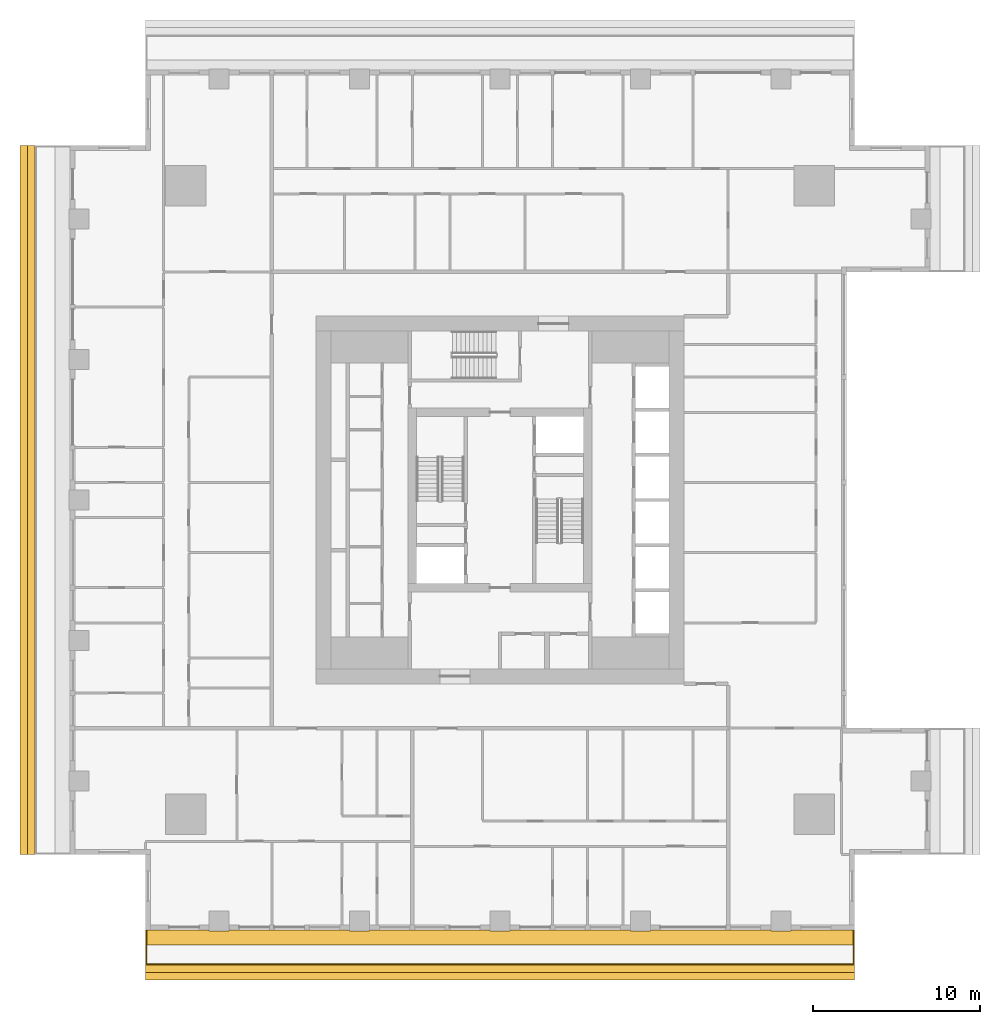
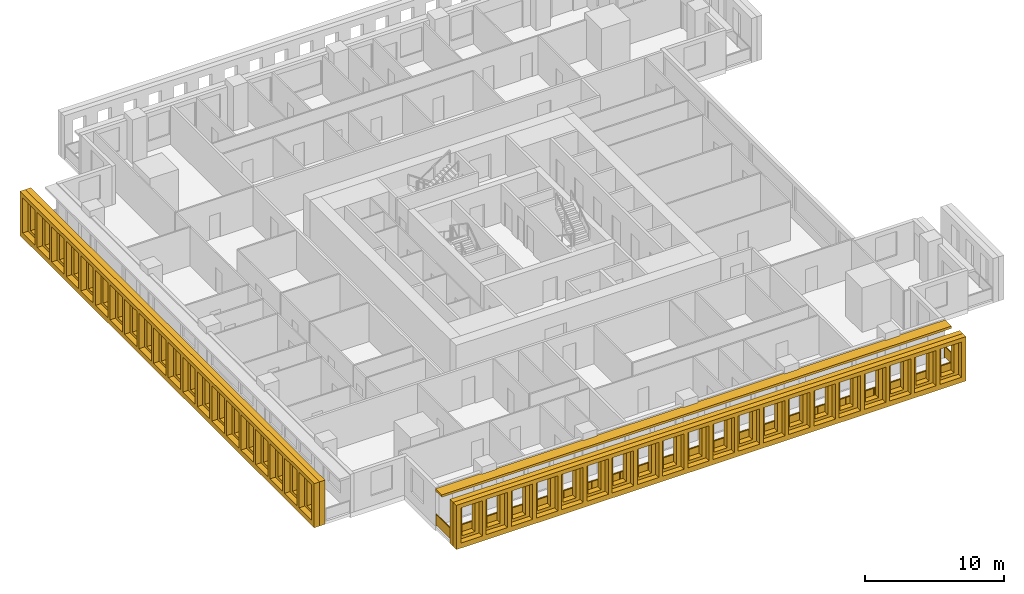
# One storey, part 10 of 15: 5 shading devices, 1 railing.
"""IFC4 building model written with IfcOpenShell, lengths in metres."""

from ifc_helpers import new_model, si_unit, direction, frame, origin, origin_2d, place, context, subcontext, project, spatial, polyline, rectangle, outline, extrude, material, layer, layer_set, type_object, element, save


model = new_model("IFC4")

# Units and contexts
model_context = context("Model", 3, precision=1e-05, world=origin(), true_north=direction((0.0, 1.0)))
body_context = subcontext(model_context, "Body", "Model", "MODEL_VIEW")
ifc_project = project(units=[si_unit("LENGTHUNIT", "METRE"), si_unit("AREAUNIT", "SQUARE_METRE"), si_unit("VOLUMEUNIT", "CUBIC_METRE"), si_unit("PLANEANGLEUNIT", "RADIAN"), si_unit("MASSUNIT", "GRAM", prefix="KILO")], contexts=[model_context])

# Site, building, storey
site_placement = place(None, origin())
site = spatial("IfcSite", under=ifc_project, at=site_placement, CompositionType="ELEMENT")
building_placement = place(site_placement, origin())
building = spatial("IfcBuilding", under=site, at=building_placement, Name="Khepri Terraces", CompositionType="ELEMENT")
storey_placement = place(building_placement, frame((0.0, 0.0, 231.300048828125)))
storey = spatial("IfcBuildingStorey", under=building, at=storey_placement, Name="L55", CompositionType="ELEMENT", Elevation=231.300048828125)

# Railing
ifc_material_1 = material(Name="Stainless steel grade 316", Category="steel")
railing_type = type_object("IfcRailingType", Name="GRD-BAL-1100", PredefinedType="GUARDRAIL", material=ifc_material_1)
railing_placement = place(storey_placement, frame((-21.169921875, -25.719970703125, 0.0)))
element("IfcRailing", 1, at=railing_placement, inside=storey, type_object=railing_type, Name="Balcony guard L55 S", PredefinedType="GUARDRAIL", context=body_context, shape_type="SweptSolid", body=[
    extrude(rectangle(XDim=0.050048828125, YDim=0.06005859375, at=origin_2d()), frame((0.0, 0.0, 1.070068359375), z_axis=(0.0, -1.0, 0.0), x_axis=(1.0, 0.0, 0.0)), (0.0, 0.0, 1.0), 2.050048828125),
    extrude(rectangle(XDim=2.0, YDim=0.011962890625, at=origin_2d()), frame((0.0, -1.02490234375, 0.10009765625), z_axis=(0.0, 0.0, 1.0), x_axis=(0.0, -1.0, 0.0)), (0.0, 0.0, 1.0), 0.93994140625),
    extrude(rectangle(XDim=0.050048828125, YDim=0.06005859375, at=origin_2d()), frame((0.0, -2.050048828125, 1.070068359375), z_axis=(1.0, 0.0, 0.0), x_axis=(0.0, 1.0, 0.0)), (0.0, 0.0, 1.0), 42.33984375),
    extrude(rectangle(XDim=2.30224609375, YDim=0.011962890625, at=origin_2d()), frame((1.176025390625, -2.050048828125, 0.10009765625), z_axis=(0.0, 0.0, 1.0), x_axis=(1.0, 0.0, 0.0)), (0.0, 0.0, 1.0), 0.93994140625),
    extrude(rectangle(XDim=2.30224609375, YDim=0.011962890625, at=origin_2d()), frame((3.5283203125, -2.050048828125, 0.10009765625), z_axis=(0.0, 0.0, 1.0), x_axis=(1.0, 0.0, 0.0)), (0.0, 0.0, 1.0), 0.93994140625),
    extrude(rectangle(XDim=2.30224609375, YDim=0.011962890625, at=origin_2d()), frame((5.880615234375, -2.050048828125, 0.10009765625), z_axis=(0.0, 0.0, 1.0), x_axis=(1.0, 0.0, 0.0)), (0.0, 0.0, 1.0), 0.93994140625),
    extrude(rectangle(XDim=2.30224609375, YDim=0.011962890625, at=origin_2d()), frame((8.232666015625, -2.050048828125, 0.10009765625), z_axis=(0.0, 0.0, 1.0), x_axis=(1.0, 0.0, 0.0)), (0.0, 0.0, 1.0), 0.93994140625),
    extrude(rectangle(XDim=2.30224609375, YDim=0.011962890625, at=origin_2d()), frame((10.5849609375, -2.050048828125, 0.10009765625), z_axis=(0.0, 0.0, 1.0), x_axis=(1.0, 0.0, 0.0)), (0.0, 0.0, 1.0), 0.93994140625),
    extrude(rectangle(XDim=2.30224609375, YDim=0.011962890625, at=origin_2d()), frame((12.937255859375, -2.050048828125, 0.10009765625), z_axis=(0.0, 0.0, 1.0), x_axis=(1.0, 0.0, 0.0)), (0.0, 0.0, 1.0), 0.93994140625),
    extrude(rectangle(XDim=2.30224609375, YDim=0.011962890625, at=origin_2d()), frame((15.289306640625, -2.050048828125, 0.10009765625), z_axis=(0.0, 0.0, 1.0), x_axis=(1.0, 0.0, 0.0)), (0.0, 0.0, 1.0), 0.93994140625),
    extrude(rectangle(XDim=2.30224609375, YDim=0.011962890625, at=origin_2d()), frame((17.6416015625, -2.050048828125, 0.10009765625), z_axis=(0.0, 0.0, 1.0), x_axis=(1.0, 0.0, 0.0)), (0.0, 0.0, 1.0), 0.93994140625),
    extrude(rectangle(XDim=2.30224609375, YDim=0.011962890625, at=origin_2d()), frame((19.993896484375, -2.050048828125, 0.10009765625), z_axis=(0.0, 0.0, 1.0), x_axis=(1.0, 0.0, 0.0)), (0.0, 0.0, 1.0), 0.93994140625),
    extrude(rectangle(XDim=2.30224609375, YDim=0.011962890625, at=origin_2d()), frame((22.345947265625, -2.050048828125, 0.10009765625), z_axis=(0.0, 0.0, 1.0), x_axis=(1.0, 0.0, 0.0)), (0.0, 0.0, 1.0), 0.93994140625),
    extrude(rectangle(XDim=2.30224609375, YDim=0.011962890625, at=origin_2d()), frame((24.6982421875, -2.050048828125, 0.10009765625), z_axis=(0.0, 0.0, 1.0), x_axis=(1.0, 0.0, 0.0)), (0.0, 0.0, 1.0), 0.93994140625),
    extrude(rectangle(XDim=2.30224609375, YDim=0.011962890625, at=origin_2d()), frame((27.050537109375, -2.050048828125, 0.10009765625), z_axis=(0.0, 0.0, 1.0), x_axis=(1.0, 0.0, 0.0)), (0.0, 0.0, 1.0), 0.93994140625),
    extrude(rectangle(XDim=2.30224609375, YDim=0.011962890625, at=origin_2d()), frame((29.402587890625, -2.050048828125, 0.10009765625), z_axis=(0.0, 0.0, 1.0), x_axis=(1.0, 0.0, 0.0)), (0.0, 0.0, 1.0), 0.93994140625),
    extrude(rectangle(XDim=2.30224609375, YDim=0.011962890625, at=origin_2d()), frame((31.7548828125, -2.050048828125, 0.10009765625), z_axis=(0.0, 0.0, 1.0), x_axis=(1.0, 0.0, 0.0)), (0.0, 0.0, 1.0), 0.93994140625),
    extrude(rectangle(XDim=2.30224609375, YDim=0.011962890625, at=origin_2d()), frame((34.107177734375, -2.050048828125, 0.10009765625), z_axis=(0.0, 0.0, 1.0), x_axis=(1.0, 0.0, 0.0)), (0.0, 0.0, 1.0), 0.93994140625),
    extrude(rectangle(XDim=2.30224609375, YDim=0.011962890625, at=origin_2d()), frame((36.459228515625, -2.050048828125, 0.10009765625), z_axis=(0.0, 0.0, 1.0), x_axis=(1.0, 0.0, 0.0)), (0.0, 0.0, 1.0), 0.93994140625),
    extrude(rectangle(XDim=2.30224609375, YDim=0.011962890625, at=origin_2d()), frame((38.8115234375, -2.050048828125, 0.10009765625), z_axis=(0.0, 0.0, 1.0), x_axis=(1.0, 0.0, 0.0)), (0.0, 0.0, 1.0), 0.93994140625),
    extrude(rectangle(XDim=2.30224609375, YDim=0.011962890625, at=origin_2d()), frame((41.163818359375, -2.050048828125, 0.10009765625), z_axis=(0.0, 0.0, 1.0), x_axis=(1.0, 0.0, 0.0)), (0.0, 0.0, 1.0), 0.93994140625),
    extrude(rectangle(XDim=0.050048828125, YDim=0.06005859375, at=origin_2d()), frame((42.33984375, -2.050048828125, 1.070068359375), z_axis=(0.0, 1.0, 0.0), x_axis=(-1.0, 0.0, 0.0)), (0.0, 0.0, 1.0), 2.050048828125),
    extrude(rectangle(XDim=2.0, YDim=0.011962890625, at=origin_2d()), frame((42.33984375, -1.02490234375, 0.10009765625), z_axis=(0.0, 0.0, 1.0), x_axis=(0.0, 1.0, 0.0)), (0.0, 0.0, 1.0), 0.93994140625),
    extrude(rectangle(XDim=0.050048828125, YDim=0.050048828125, at=origin_2d()), origin(), (0.0, 0.0, 1.0), 1.0400390625),
    extrude(rectangle(XDim=0.050048828125, YDim=0.050048828125, at=origin_2d()), frame((0.0, -2.050048828125, 0.0)), (0.0, 0.0, 1.0), 1.0400390625),
    extrude(rectangle(XDim=0.050048828125, YDim=0.050048828125, at=origin_2d()), frame((2.352294921875, -2.050048828125, 0.0)), (0.0, 0.0, 1.0), 1.0400390625),
    extrude(rectangle(XDim=0.050048828125, YDim=0.050048828125, at=origin_2d()), frame((4.704345703125, -2.050048828125, 0.0)), (0.0, 0.0, 1.0), 1.0400390625),
    extrude(rectangle(XDim=0.050048828125, YDim=0.050048828125, at=origin_2d()), frame((7.056640625, -2.050048828125, 0.0)), (0.0, 0.0, 1.0), 1.0400390625),
    extrude(rectangle(XDim=0.050048828125, YDim=0.050048828125, at=origin_2d()), frame((9.408935546875, -2.050048828125, 0.0)), (0.0, 0.0, 1.0), 1.0400390625),
    extrude(rectangle(XDim=0.050048828125, YDim=0.050048828125, at=origin_2d()), frame((11.760986328125, -2.050048828125, 0.0)), (0.0, 0.0, 1.0), 1.0400390625),
    extrude(rectangle(XDim=0.050048828125, YDim=0.050048828125, at=origin_2d()), frame((14.11328125, -2.050048828125, 0.0)), (0.0, 0.0, 1.0), 1.0400390625),
    extrude(rectangle(XDim=0.050048828125, YDim=0.050048828125, at=origin_2d()), frame((16.465576171875, -2.050048828125, 0.0)), (0.0, 0.0, 1.0), 1.0400390625),
    extrude(rectangle(XDim=0.050048828125, YDim=0.050048828125, at=origin_2d()), frame((18.817626953125, -2.050048828125, 0.0)), (0.0, 0.0, 1.0), 1.0400390625),
    extrude(rectangle(XDim=0.050048828125, YDim=0.050048828125, at=origin_2d()), frame((21.169921875, -2.050048828125, 0.0)), (0.0, 0.0, 1.0), 1.0400390625),
    extrude(rectangle(XDim=0.050048828125, YDim=0.050048828125, at=origin_2d()), frame((23.522216796875, -2.050048828125, 0.0)), (0.0, 0.0, 1.0), 1.0400390625),
    extrude(rectangle(XDim=0.050048828125, YDim=0.050048828125, at=origin_2d()), frame((25.874267578125, -2.050048828125, 0.0)), (0.0, 0.0, 1.0), 1.0400390625),
    extrude(rectangle(XDim=0.050048828125, YDim=0.050048828125, at=origin_2d()), frame((28.2265625, -2.050048828125, 0.0)), (0.0, 0.0, 1.0), 1.0400390625),
    extrude(rectangle(XDim=0.050048828125, YDim=0.050048828125, at=origin_2d()), frame((30.578857421875, -2.050048828125, 0.0)), (0.0, 0.0, 1.0), 1.0400390625),
    extrude(rectangle(XDim=0.050048828125, YDim=0.050048828125, at=origin_2d()), frame((32.930908203125, -2.050048828125, 0.0)), (0.0, 0.0, 1.0), 1.0400390625),
    extrude(rectangle(XDim=0.050048828125, YDim=0.050048828125, at=origin_2d()), frame((35.283203125, -2.050048828125, 0.0)), (0.0, 0.0, 1.0), 1.0400390625),
    extrude(rectangle(XDim=0.050048828125, YDim=0.050048828125, at=origin_2d()), frame((37.635498046875, -2.050048828125, 0.0)), (0.0, 0.0, 1.0), 1.0400390625),
    extrude(rectangle(XDim=0.050048828125, YDim=0.050048828125, at=origin_2d()), frame((39.987548828125, -2.050048828125, 0.0)), (0.0, 0.0, 1.0), 1.0400390625),
    extrude(rectangle(XDim=0.050048828125, YDim=0.050048828125, at=origin_2d()), frame((42.33984375, -2.050048828125, 0.0)), (0.0, 0.0, 1.0), 1.0400390625),
    extrude(rectangle(XDim=0.050048828125, YDim=0.050048828125, at=origin_2d()), frame((42.33984375, 0.0, 0.0)), (0.0, 0.0, 1.0), 1.0400390625),
])

# Shading devices
ifc_material_2 = material(Name="Precast concrete C50/60 warm stone", Category="masonry")
shading_device_type_1 = type_object("IfcShadingDeviceType", Name="SCR-CELL-INNER-450", PredefinedType="USERDEFINED", material=ifc_material_2)
shading_device_1_placement = place(storey_placement, frame((-21.219970703125, -27.820068359375, -0.25), z_axis=(0.0, -1.0, 0.0), x_axis=(1.0, 0.0, 0.0)))
element("IfcShadingDevice", 2, at=shading_device_1_placement, inside=storey, type_object=shading_device_type_1, Name="Cell screen L55 S in", ObjectType="SCREEN", PredefinedType="USERDEFINED", context=body_context, shape_type="SweptSolid", body=[
    extrude(outline(polyline([(0.0, 0.0), (42.43994140625, 0.0), (42.43994140625, 3.89990234375), (0.0, 3.89990234375), (0.0, 0.0)]), holes=[polyline([(0.7265625, 0.699951171875), (1.8134765625, 0.699951171875), (1.8134765625, 3.300048828125), (0.7265625, 3.300048828125), (0.7265625, 0.699951171875)]), polyline([(2.82666015625, 0.699951171875), (3.913330078125, 0.699951171875), (3.913330078125, 3.300048828125), (2.82666015625, 3.300048828125), (2.82666015625, 0.699951171875)]), polyline([(4.926513671875, 0.699951171875), (6.013427734375, 0.699951171875), (6.013427734375, 3.300048828125), (4.926513671875, 3.300048828125), (4.926513671875, 0.699951171875)]), polyline([(7.026611328125, 0.699951171875), (8.11328125, 0.699951171875), (8.11328125, 3.300048828125), (7.026611328125, 3.300048828125), (7.026611328125, 0.699951171875)]), polyline([(9.126708984375, 0.699951171875), (10.21337890625, 0.699951171875), (10.21337890625, 3.300048828125), (9.126708984375, 3.300048828125), (9.126708984375, 0.699951171875)]), polyline([(11.2265625, 0.699951171875), (12.3134765625, 0.699951171875), (12.3134765625, 3.300048828125), (11.2265625, 3.300048828125), (11.2265625, 0.699951171875)]), polyline([(13.32666015625, 0.699951171875), (14.413330078125, 0.699951171875), (14.413330078125, 3.300048828125), (13.32666015625, 3.300048828125), (13.32666015625, 0.699951171875)]), polyline([(15.426513671875, 0.699951171875), (16.513427734375, 0.699951171875), (16.513427734375, 3.300048828125), (15.426513671875, 3.300048828125), (15.426513671875, 0.699951171875)]), polyline([(17.526611328125, 0.699951171875), (18.61328125, 0.699951171875), (18.61328125, 3.300048828125), (17.526611328125, 3.300048828125), (17.526611328125, 0.699951171875)]), polyline([(19.626708984375, 0.699951171875), (20.71337890625, 0.699951171875), (20.71337890625, 3.300048828125), (19.626708984375, 3.300048828125), (19.626708984375, 0.699951171875)]), polyline([(21.7265625, 0.699951171875), (22.8134765625, 0.699951171875), (22.8134765625, 3.300048828125), (21.7265625, 3.300048828125), (21.7265625, 0.699951171875)]), polyline([(23.82666015625, 0.699951171875), (24.913330078125, 0.699951171875), (24.913330078125, 3.300048828125), (23.82666015625, 3.300048828125), (23.82666015625, 0.699951171875)]), polyline([(25.926513671875, 0.699951171875), (27.013427734375, 0.699951171875), (27.013427734375, 3.300048828125), (25.926513671875, 3.300048828125), (25.926513671875, 0.699951171875)]), polyline([(28.026611328125, 0.699951171875), (29.11328125, 0.699951171875), (29.11328125, 3.300048828125), (28.026611328125, 3.300048828125), (28.026611328125, 0.699951171875)]), polyline([(30.126708984375, 0.699951171875), (31.21337890625, 0.699951171875), (31.21337890625, 3.300048828125), (30.126708984375, 3.300048828125), (30.126708984375, 0.699951171875)]), polyline([(32.2265625, 0.699951171875), (33.3134765625, 0.699951171875), (33.3134765625, 3.300048828125), (32.2265625, 3.300048828125), (32.2265625, 0.699951171875)]), polyline([(34.32666015625, 0.699951171875), (35.413330078125, 0.699951171875), (35.413330078125, 3.300048828125), (34.32666015625, 3.300048828125), (34.32666015625, 0.699951171875)]), polyline([(36.426513671875, 0.699951171875), (37.513427734375, 0.699951171875), (37.513427734375, 3.300048828125), (36.426513671875, 3.300048828125), (36.426513671875, 0.699951171875)]), polyline([(38.526611328125, 0.699951171875), (39.61328125, 0.699951171875), (39.61328125, 3.300048828125), (38.526611328125, 3.300048828125), (38.526611328125, 0.699951171875)]), polyline([(40.626708984375, 0.699951171875), (41.71337890625, 0.699951171875), (41.71337890625, 3.300048828125), (40.626708984375, 3.300048828125), (40.626708984375, 0.699951171875)])]), origin(), (0.0, 0.0, 1.0), 0.449951171875),
])
shading_device_2_placement = place(storey_placement, frame((-27.820068359375, 21.219970703125, -0.25), z_axis=(-1.0, 0.0, 0.0), x_axis=(0.0, -1.0, 0.0)))
element("IfcShadingDevice", 3, at=shading_device_2_placement, inside=storey, type_object=shading_device_type_1, Name="Cell screen L55 W in", ObjectType="SCREEN", PredefinedType="USERDEFINED", context=body_context, shape_type="SweptSolid", body=[
    extrude(outline(polyline([(0.0, 0.0), (42.43994140625, 0.0), (42.43994140625, 3.89990234375), (0.0, 3.89990234375), (0.0, 0.0)]), holes=[polyline([(0.7265625, 0.699951171875), (1.8134765625, 0.699951171875), (1.8134765625, 3.300048828125), (0.7265625, 3.300048828125), (0.7265625, 0.699951171875)]), polyline([(2.82666015625, 0.699951171875), (3.913330078125, 0.699951171875), (3.913330078125, 3.300048828125), (2.82666015625, 3.300048828125), (2.82666015625, 0.699951171875)]), polyline([(4.926513671875, 0.699951171875), (6.013427734375, 0.699951171875), (6.013427734375, 3.300048828125), (4.926513671875, 3.300048828125), (4.926513671875, 0.699951171875)]), polyline([(7.026611328125, 0.699951171875), (8.11328125, 0.699951171875), (8.11328125, 3.300048828125), (7.026611328125, 3.300048828125), (7.026611328125, 0.699951171875)]), polyline([(9.126708984375, 0.699951171875), (10.21337890625, 0.699951171875), (10.21337890625, 3.300048828125), (9.126708984375, 3.300048828125), (9.126708984375, 0.699951171875)]), polyline([(11.2265625, 0.699951171875), (12.3134765625, 0.699951171875), (12.3134765625, 3.300048828125), (11.2265625, 3.300048828125), (11.2265625, 0.699951171875)]), polyline([(13.32666015625, 0.699951171875), (14.413330078125, 0.699951171875), (14.413330078125, 3.300048828125), (13.32666015625, 3.300048828125), (13.32666015625, 0.699951171875)]), polyline([(15.426513671875, 0.699951171875), (16.513427734375, 0.699951171875), (16.513427734375, 3.300048828125), (15.426513671875, 3.300048828125), (15.426513671875, 0.699951171875)]), polyline([(17.526611328125, 0.699951171875), (18.61328125, 0.699951171875), (18.61328125, 3.300048828125), (17.526611328125, 3.300048828125), (17.526611328125, 0.699951171875)]), polyline([(19.626708984375, 0.699951171875), (20.71337890625, 0.699951171875), (20.71337890625, 3.300048828125), (19.626708984375, 3.300048828125), (19.626708984375, 0.699951171875)]), polyline([(21.7265625, 0.699951171875), (22.8134765625, 0.699951171875), (22.8134765625, 3.300048828125), (21.7265625, 3.300048828125), (21.7265625, 0.699951171875)]), polyline([(23.82666015625, 0.699951171875), (24.913330078125, 0.699951171875), (24.913330078125, 3.300048828125), (23.82666015625, 3.300048828125), (23.82666015625, 0.699951171875)]), polyline([(25.926513671875, 0.699951171875), (27.013427734375, 0.699951171875), (27.013427734375, 3.300048828125), (25.926513671875, 3.300048828125), (25.926513671875, 0.699951171875)]), polyline([(28.026611328125, 0.699951171875), (29.11328125, 0.699951171875), (29.11328125, 3.300048828125), (28.026611328125, 3.300048828125), (28.026611328125, 0.699951171875)]), polyline([(30.126708984375, 0.699951171875), (31.21337890625, 0.699951171875), (31.21337890625, 3.300048828125), (30.126708984375, 3.300048828125), (30.126708984375, 0.699951171875)]), polyline([(32.2265625, 0.699951171875), (33.3134765625, 0.699951171875), (33.3134765625, 3.300048828125), (32.2265625, 3.300048828125), (32.2265625, 0.699951171875)]), polyline([(34.32666015625, 0.699951171875), (35.413330078125, 0.699951171875), (35.413330078125, 3.300048828125), (34.32666015625, 3.300048828125), (34.32666015625, 0.699951171875)]), polyline([(36.426513671875, 0.699951171875), (37.513427734375, 0.699951171875), (37.513427734375, 3.300048828125), (36.426513671875, 3.300048828125), (36.426513671875, 0.699951171875)]), polyline([(38.526611328125, 0.699951171875), (39.61328125, 0.699951171875), (39.61328125, 3.300048828125), (38.526611328125, 3.300048828125), (38.526611328125, 0.699951171875)]), polyline([(40.626708984375, 0.699951171875), (41.71337890625, 0.699951171875), (41.71337890625, 3.300048828125), (40.626708984375, 3.300048828125), (40.626708984375, 0.699951171875)])]), origin(), (0.0, 0.0, 1.0), 0.449951171875),
])
shading_device_type_2 = type_object("IfcShadingDeviceType", Name="SCR-CELL-OUTER-450", PredefinedType="USERDEFINED", material=ifc_material_2)
shading_device_3_placement = place(storey_placement, frame((-21.219970703125, -28.27001953125, -0.25), z_axis=(0.0, -1.0, 0.0), x_axis=(1.0, 0.0, 0.0)))
element("IfcShadingDevice", 4, at=shading_device_3_placement, inside=storey, type_object=shading_device_type_2, Name="Cell screen L55 S out", ObjectType="SCREEN", PredefinedType="USERDEFINED", context=body_context, shape_type="SweptSolid", body=[
    extrude(outline(polyline([(0.0, 0.0), (42.43994140625, 0.0), (42.43994140625, 3.89990234375), (0.0, 3.89990234375), (0.0, 0.0)]), holes=[polyline([(0.376708984375, 0.449951171875), (2.163330078125, 0.449951171875), (2.163330078125, 3.550048828125), (0.376708984375, 3.550048828125), (0.376708984375, 0.449951171875)]), polyline([(2.4765625, 0.449951171875), (4.263427734375, 0.449951171875), (4.263427734375, 3.550048828125), (2.4765625, 3.550048828125), (2.4765625, 0.449951171875)]), polyline([(4.57666015625, 0.449951171875), (6.36328125, 0.449951171875), (6.36328125, 3.550048828125), (4.57666015625, 3.550048828125), (4.57666015625, 0.449951171875)]), polyline([(6.676513671875, 0.449951171875), (8.46337890625, 0.449951171875), (8.46337890625, 3.550048828125), (6.676513671875, 3.550048828125), (6.676513671875, 0.449951171875)]), polyline([(8.776611328125, 0.449951171875), (10.5634765625, 0.449951171875), (10.5634765625, 3.550048828125), (8.776611328125, 3.550048828125), (8.776611328125, 0.449951171875)]), polyline([(10.876708984375, 0.449951171875), (12.663330078125, 0.449951171875), (12.663330078125, 3.550048828125), (10.876708984375, 3.550048828125), (10.876708984375, 0.449951171875)]), polyline([(12.9765625, 0.449951171875), (14.763427734375, 0.449951171875), (14.763427734375, 3.550048828125), (12.9765625, 3.550048828125), (12.9765625, 0.449951171875)]), polyline([(15.07666015625, 0.449951171875), (16.86328125, 0.449951171875), (16.86328125, 3.550048828125), (15.07666015625, 3.550048828125), (15.07666015625, 0.449951171875)]), polyline([(17.176513671875, 0.449951171875), (18.96337890625, 0.449951171875), (18.96337890625, 3.550048828125), (17.176513671875, 3.550048828125), (17.176513671875, 0.449951171875)]), polyline([(19.276611328125, 0.449951171875), (21.0634765625, 0.449951171875), (21.0634765625, 3.550048828125), (19.276611328125, 3.550048828125), (19.276611328125, 0.449951171875)]), polyline([(21.376708984375, 0.449951171875), (23.163330078125, 0.449951171875), (23.163330078125, 3.550048828125), (21.376708984375, 3.550048828125), (21.376708984375, 0.449951171875)]), polyline([(23.4765625, 0.449951171875), (25.263427734375, 0.449951171875), (25.263427734375, 3.550048828125), (23.4765625, 3.550048828125), (23.4765625, 0.449951171875)]), polyline([(25.57666015625, 0.449951171875), (27.36328125, 0.449951171875), (27.36328125, 3.550048828125), (25.57666015625, 3.550048828125), (25.57666015625, 0.449951171875)]), polyline([(27.676513671875, 0.449951171875), (29.46337890625, 0.449951171875), (29.46337890625, 3.550048828125), (27.676513671875, 3.550048828125), (27.676513671875, 0.449951171875)]), polyline([(29.776611328125, 0.449951171875), (31.5634765625, 0.449951171875), (31.5634765625, 3.550048828125), (29.776611328125, 3.550048828125), (29.776611328125, 0.449951171875)]), polyline([(31.876708984375, 0.449951171875), (33.663330078125, 0.449951171875), (33.663330078125, 3.550048828125), (31.876708984375, 3.550048828125), (31.876708984375, 0.449951171875)]), polyline([(33.9765625, 0.449951171875), (35.763427734375, 0.449951171875), (35.763427734375, 3.550048828125), (33.9765625, 3.550048828125), (33.9765625, 0.449951171875)]), polyline([(36.07666015625, 0.449951171875), (37.86328125, 0.449951171875), (37.86328125, 3.550048828125), (36.07666015625, 3.550048828125), (36.07666015625, 0.449951171875)]), polyline([(38.176513671875, 0.449951171875), (39.96337890625, 0.449951171875), (39.96337890625, 3.550048828125), (38.176513671875, 3.550048828125), (38.176513671875, 0.449951171875)]), polyline([(40.276611328125, 0.449951171875), (42.0634765625, 0.449951171875), (42.0634765625, 3.550048828125), (40.276611328125, 3.550048828125), (40.276611328125, 0.449951171875)])]), origin(), (0.0, 0.0, 1.0), 0.449951171875),
])
shading_device_4_placement = place(storey_placement, frame((-28.27001953125, 21.219970703125, -0.25), z_axis=(-1.0, 0.0, 0.0), x_axis=(0.0, -1.0, 0.0)))
element("IfcShadingDevice", 5, at=shading_device_4_placement, inside=storey, type_object=shading_device_type_2, Name="Cell screen L55 W out", ObjectType="SCREEN", PredefinedType="USERDEFINED", context=body_context, shape_type="SweptSolid", body=[
    extrude(outline(polyline([(0.0, 0.0), (42.43994140625, 0.0), (42.43994140625, 3.89990234375), (0.0, 3.89990234375), (0.0, 0.0)]), holes=[polyline([(0.376708984375, 0.449951171875), (2.163330078125, 0.449951171875), (2.163330078125, 3.550048828125), (0.376708984375, 3.550048828125), (0.376708984375, 0.449951171875)]), polyline([(2.4765625, 0.449951171875), (4.263427734375, 0.449951171875), (4.263427734375, 3.550048828125), (2.4765625, 3.550048828125), (2.4765625, 0.449951171875)]), polyline([(4.57666015625, 0.449951171875), (6.36328125, 0.449951171875), (6.36328125, 3.550048828125), (4.57666015625, 3.550048828125), (4.57666015625, 0.449951171875)]), polyline([(6.676513671875, 0.449951171875), (8.46337890625, 0.449951171875), (8.46337890625, 3.550048828125), (6.676513671875, 3.550048828125), (6.676513671875, 0.449951171875)]), polyline([(8.776611328125, 0.449951171875), (10.5634765625, 0.449951171875), (10.5634765625, 3.550048828125), (8.776611328125, 3.550048828125), (8.776611328125, 0.449951171875)]), polyline([(10.876708984375, 0.449951171875), (12.663330078125, 0.449951171875), (12.663330078125, 3.550048828125), (10.876708984375, 3.550048828125), (10.876708984375, 0.449951171875)]), polyline([(12.9765625, 0.449951171875), (14.763427734375, 0.449951171875), (14.763427734375, 3.550048828125), (12.9765625, 3.550048828125), (12.9765625, 0.449951171875)]), polyline([(15.07666015625, 0.449951171875), (16.86328125, 0.449951171875), (16.86328125, 3.550048828125), (15.07666015625, 3.550048828125), (15.07666015625, 0.449951171875)]), polyline([(17.176513671875, 0.449951171875), (18.96337890625, 0.449951171875), (18.96337890625, 3.550048828125), (17.176513671875, 3.550048828125), (17.176513671875, 0.449951171875)]), polyline([(19.276611328125, 0.449951171875), (21.0634765625, 0.449951171875), (21.0634765625, 3.550048828125), (19.276611328125, 3.550048828125), (19.276611328125, 0.449951171875)]), polyline([(21.376708984375, 0.449951171875), (23.163330078125, 0.449951171875), (23.163330078125, 3.550048828125), (21.376708984375, 3.550048828125), (21.376708984375, 0.449951171875)]), polyline([(23.4765625, 0.449951171875), (25.263427734375, 0.449951171875), (25.263427734375, 3.550048828125), (23.4765625, 3.550048828125), (23.4765625, 0.449951171875)]), polyline([(25.57666015625, 0.449951171875), (27.36328125, 0.449951171875), (27.36328125, 3.550048828125), (25.57666015625, 3.550048828125), (25.57666015625, 0.449951171875)]), polyline([(27.676513671875, 0.449951171875), (29.46337890625, 0.449951171875), (29.46337890625, 3.550048828125), (27.676513671875, 3.550048828125), (27.676513671875, 0.449951171875)]), polyline([(29.776611328125, 0.449951171875), (31.5634765625, 0.449951171875), (31.5634765625, 3.550048828125), (29.776611328125, 3.550048828125), (29.776611328125, 0.449951171875)]), polyline([(31.876708984375, 0.449951171875), (33.663330078125, 0.449951171875), (33.663330078125, 3.550048828125), (31.876708984375, 3.550048828125), (31.876708984375, 0.449951171875)]), polyline([(33.9765625, 0.449951171875), (35.763427734375, 0.449951171875), (35.763427734375, 3.550048828125), (33.9765625, 3.550048828125), (33.9765625, 0.449951171875)]), polyline([(36.07666015625, 0.449951171875), (37.86328125, 0.449951171875), (37.86328125, 3.550048828125), (36.07666015625, 3.550048828125), (36.07666015625, 0.449951171875)]), polyline([(38.176513671875, 0.449951171875), (39.96337890625, 0.449951171875), (39.96337890625, 3.550048828125), (38.176513671875, 3.550048828125), (38.176513671875, 0.449951171875)]), polyline([(40.276611328125, 0.449951171875), (42.0634765625, 0.449951171875), (42.0634765625, 3.550048828125), (40.276611328125, 3.550048828125), (40.276611328125, 0.449951171875)])]), origin(), (0.0, 0.0, 1.0), 0.449951171875),
])
ifc_layer = layer(ifc_material_2, 0.199951171875, Name="Precast concrete C50/60 warm stone", Category="masonry")
ifc_layer_set = layer_set([ifc_layer], Name="Precast concrete C50/60 warm stone")
shading_device_type_3 = type_object("IfcShadingDeviceType", Name="SSH-BAND-STONE-200", PredefinedType="USERDEFINED", material=ifc_layer_set)
shading_device_5_placement = place(storey_placement, frame((0.0, 0.0, 3.099853515625)))
element("IfcShadingDevice", 6, at=shading_device_5_placement, inside=storey, type_object=shading_device_type_3, Name="Sunshade band L55 S", ObjectType="SUNSHADE", PredefinedType="USERDEFINED", context=body_context, shape_type="SweptSolid", body=[
    extrude(outline(polyline([(-17.39990234375, -25.719970703125), (-21.219970703125, -25.719970703125), (-21.219970703125, -26.6201171875), (21.219970703125, -26.6201171875), (21.219970703125, -25.719970703125), (17.39990234375, -25.719970703125), (17.39990234375, -25.800048828125), (16.199951171875, -25.800048828125), (16.199951171875, -25.719970703125), (9.0, -25.719970703125), (9.0, -25.800048828125), (7.800048828125, -25.800048828125), (7.800048828125, -25.719970703125), (0.60009765625, -25.719970703125), (0.60009765625, -25.800048828125), (-0.60009765625, -25.800048828125), (-0.60009765625, -25.719970703125), (-7.800048828125, -25.719970703125), (-7.800048828125, -25.800048828125), (-9.0, -25.800048828125), (-9.0, -25.719970703125), (-16.199951171875, -25.719970703125), (-16.199951171875, -25.800048828125), (-17.39990234375, -25.800048828125), (-17.39990234375, -25.719970703125)])), origin(), (0.0, 0.0, 1.0), 0.2001953125),
])

save(model, "model.ifc")
